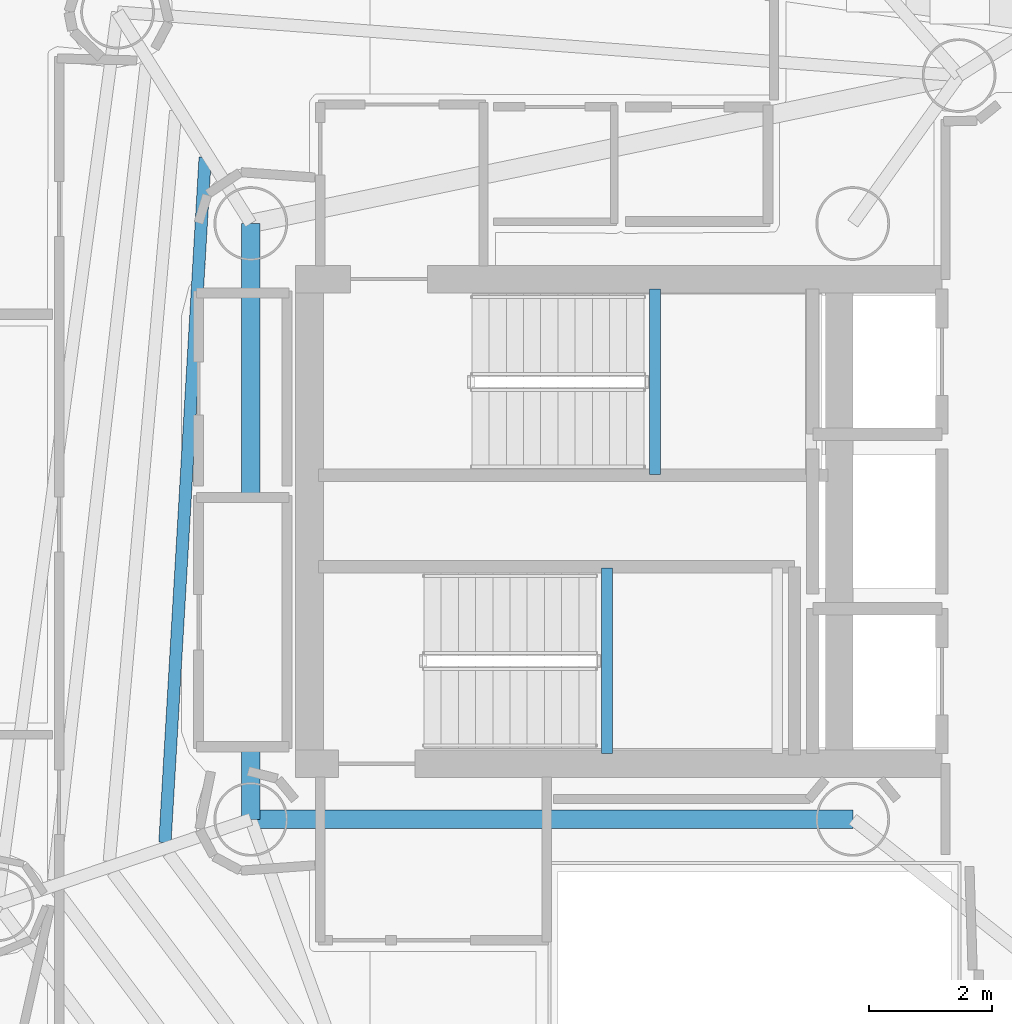
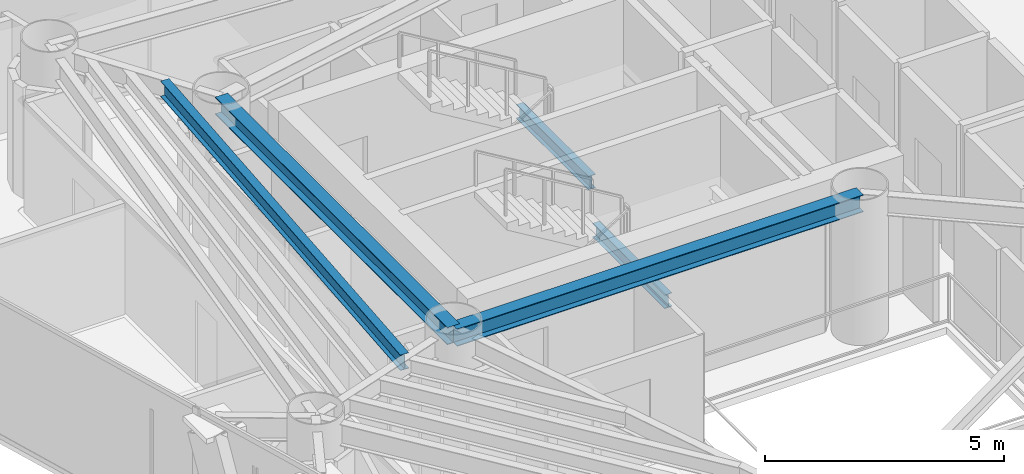
# One storey, part 9 of 23: 5 beams.
"""IFC4 building model written with IfcOpenShell, lengths in metres."""

from ifc_helpers import new_model, si_unit, direction, frame, origin, origin_2d, place, context, subcontext, project, spatial, i_section, extrude, material, material_profile, profile_set, type_object, element, save


model = new_model("IFC4")

# Units and contexts
model_context = context("Model", 3, precision=1e-05, world=origin(), true_north=direction((0.0, 1.0)))
body_context = subcontext(model_context, "Body", "Model", "MODEL_VIEW")
ifc_project = project(units=[si_unit("LENGTHUNIT", "METRE"), si_unit("AREAUNIT", "SQUARE_METRE"), si_unit("VOLUMEUNIT", "CUBIC_METRE"), si_unit("PLANEANGLEUNIT", "RADIAN"), si_unit("MASSUNIT", "GRAM", prefix="KILO")], contexts=[model_context])

# Site, building, storey
site_placement = place(None, origin())
site = spatial("IfcSite", under=ifc_project, at=site_placement, CompositionType="ELEMENT")
building_placement = place(site_placement, origin())
building = spatial("IfcBuilding", under=site, at=building_placement, Name="Qianvela Tower", CompositionType="ELEMENT")
storey_placement = place(building_placement, frame((0.0, 0.0, 215.10009765625)))
storey = spatial("IfcBuildingStorey", under=building, at=storey_placement, Name="L55", CompositionType="ELEMENT", Elevation=215.10009765625)

# Beams
ifc_material_1 = material(Name="Steel Q355B", Category="steel")
ifc_material_profile_1 = material_profile(ifc_material_1, i_section(OverallWidth=0.300048828125, OverallDepth=0.43994140625, WebThickness=0.010986328125, FlangeThickness=0.01806640625, at=origin_2d()), Name="HM440x300x11x18")
ifc_profile_set_1 = profile_set([ifc_material_profile_1], Name="Steel Q355B")
beam_type_1 = type_object("IfcBeamType", Name="BM-HM440-COLL", PredefinedType="BEAM", material=ifc_profile_set_1)
beam_1_placement = place(storey_placement, frame((28.60009765625, 23.85009765625, 3.2978515625), z_axis=(1.0, 0.0, 0.0), x_axis=(0.0, 1.0, 0.0)))
element("IfcBeam", 1, at=beam_1_placement, inside=storey, type_object=beam_type_1, Name="L55 Core Ring Collector Girder CC1", PredefinedType="BEAM", context=body_context, shape_type="SweptSolid", body=[
    extrude(i_section(OverallWidth=0.300048828125, OverallDepth=0.43994140625, WebThickness=0.010986328125, FlangeThickness=0.01806640625, at=origin_2d()), origin(), (0.0, 0.0, 1.0), 9.7998046875),
])
beam_2_placement = place(storey_placement, frame((28.60009765625, 33.550048828125, 3.2978515625), z_axis=(0.0, -1.0, 0.0), x_axis=(1.0, 0.0, 0.0)))
element("IfcBeam", 2, at=beam_2_placement, inside=storey, type_object=beam_type_1, Name="L55 Core Ring Collector Girder CC2", PredefinedType="BEAM", context=body_context, shape_type="SweptSolid", body=[
    extrude(i_section(OverallWidth=0.300048828125, OverallDepth=0.43994140625, WebThickness=0.010986328125, FlangeThickness=0.01806640625, at=origin_2d()), origin(), (0.0, 0.0, 1.0), 9.699951171875),
])
ifc_material_2 = material(Name="Steel Q355B", Category="steel")
ifc_material_profile_2 = material_profile(ifc_material_2, i_section(OverallWidth=0.175048828125, OverallDepth=0.35009765625, WebThickness=0.007080078125, FlangeThickness=0.010986328125, at=origin_2d()), Name="HN350x175x7x11")
ifc_profile_set_2 = profile_set([ifc_material_profile_2], Name="Steel Q355B")
beam_type_2 = type_object("IfcBeamType", Name="BM-HN350-JOIST", PredefinedType="JOIST", material=ifc_profile_set_2)
for number, where, z_axis, x_axis, name in (
    (3, (35.179931640625, 29.4599609375, 1.474853515625), (0.0, 1.0, 0.0), (-1.0, 0.0, 0.0), "L55 Stair ST-1 Landing Support Beam 1.1"),
    (4, (34.39990234375, 24.919921875, 1.474853515625), (0.0, 1.0, 0.0), (-1.0, 0.0, 0.0), "L55 Stair ST-2 Landing Support Beam 1.1"),
):
    element("IfcBeam", number, at=place(storey_placement, frame(where, z_axis=z_axis, x_axis=x_axis)), inside=storey, type_object=beam_type_2, Name=name, PredefinedType="JOIST", context=body_context, shape_type="SweptSolid", body=[
        extrude(i_section(OverallWidth=0.175048828125, OverallDepth=0.35009765625, WebThickness=0.007080078125, FlangeThickness=0.010986328125, at=origin_2d()), origin(), (0.0, 0.0, 1.0), 3.02001953125),
    ])
ifc_material_3 = material(Name="Steel Q355B", Category="steel")
ifc_material_profile_3 = material_profile(ifc_material_3, i_section(OverallWidth=0.199951171875, OverallDepth=0.39990234375, WebThickness=0.008056640625, FlangeThickness=0.012939453125, at=origin_2d()), Name="HN400x200x8x13")
ifc_profile_set_3 = profile_set([ifc_material_profile_3], Name="Steel Q355B")
beam_type_3 = type_object("IfcBeamType", Name="BM-HN400-JOIST", PredefinedType="JOIST", material=ifc_profile_set_3)
beam_3_placement = place(storey_placement, frame((27.85693359375, 34.62451171875, 3.31787109375), z_axis=(-0.05861696358, -0.998280547532, 0.0), x_axis=(0.998280547532, -0.05861696358, 0.0)))
element("IfcBeam", 5, at=beam_3_placement, inside=storey, type_object=beam_type_3, Name="L55 Secondary Composite Floor Joist 3.1", PredefinedType="JOIST", context=body_context, shape_type="SweptSolid", body=[
    extrude(i_section(OverallWidth=0.199951171875, OverallDepth=0.39990234375, WebThickness=0.008056640625, FlangeThickness=0.012939453125, at=origin_2d()), origin(), (0.0, 0.0, 1.0), 11.170654296875),
])

save(model, "model.ifc")
